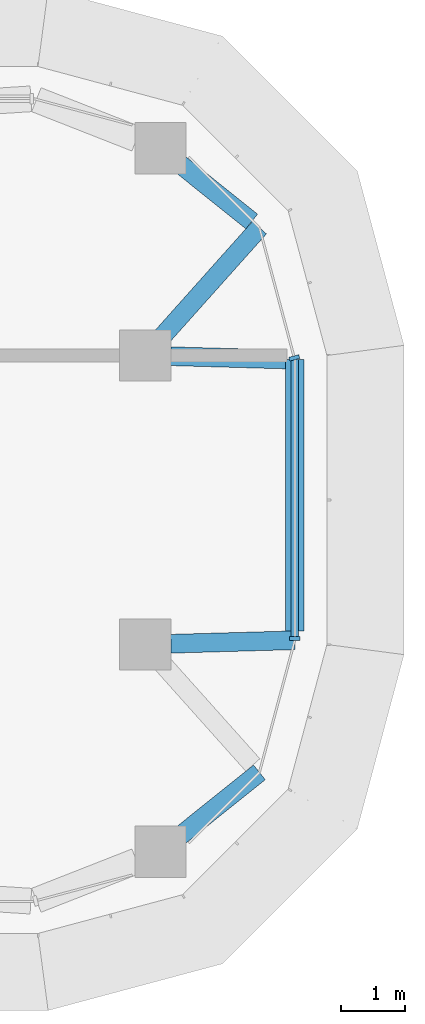
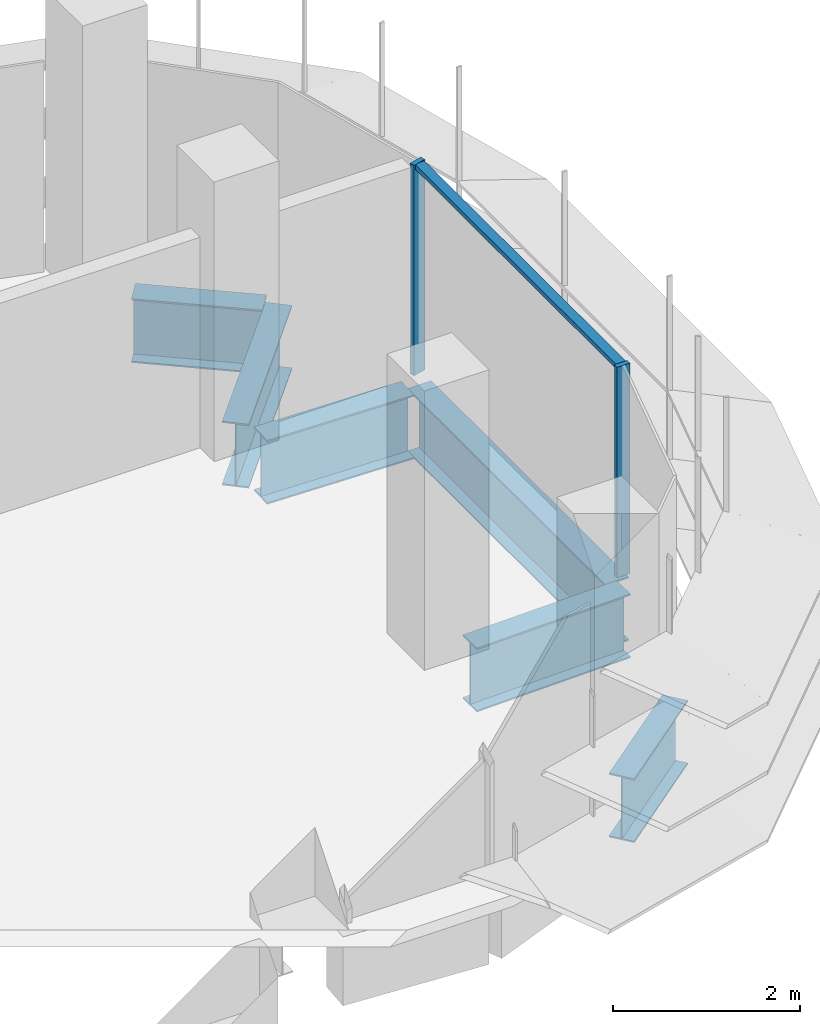
# One storey, part 10 of 20: 6 beams, 3 members, 2 elements without a shape of their own.
"""IFC4 building model written with IfcOpenShell, lengths in metres."""

import ifcopenshell
import ifcopenshell.guid

model = None  # the IFC model being written
_history = None  # IfcOwnerHistory: only IFC2X3 demands one
_inside = {}  # id of a spatial element -> (the spatial element, [elements in it])
_under = {}  # id of a project, library or spatial element -> (it, [spatial elements below it])
_declared = {}  # id of a project -> (the project, [libraries it declares])
_typed = {}  # id of a type object -> (the type object, [elements of that type])
_made_of = {}  # id of a material, layer set ... -> (it, [elements and type objects made of it])


def new_model(schema):
    """Start an empty IFC model of exactly this schema.

    Asked for "IFC4X3", IfcOpenShell would pick the latest addendum, in which some entities
    have other attributes; the version numbers below select the first issue.
    IFC2X3 requires an IfcOwnerHistory on every rooted entity: one is made here for all.
    """
    global model, _history
    if schema == "IFC4X3":
        model = ifcopenshell.file(schema_version=(4, 3, 0, 0))
    else:
        model = ifcopenshell.file(schema=schema)
    _inside.clear()
    _under.clear()
    _declared.clear()
    _typed.clear()
    _made_of.clear()
    _history = None
    if model.schema == "IFC2X3":
        org = make("IfcOrganization", Name="unknown")
        user = make(
            "IfcPersonAndOrganization",
            ThePerson=make("IfcPerson", FamilyName="unknown"),
            TheOrganization=org,
        )
        app = make(
            "IfcApplication",
            ApplicationDeveloper=org,
            Version="unknown",
            ApplicationFullName="unknown",
            ApplicationIdentifier="unknown",
        )
        _history = make(
            "IfcOwnerHistory",
            OwningUser=user,
            OwningApplication=app,
            ChangeAction="ADDED",
            CreationDate=0,
        )
    return model


def make(cls, **values):
    """One entity of the class cls with the attributes given. An attribute that is None is left unset."""
    return model.create_entity(
        cls, **{name: value for name, value in values.items() if value is not None}
    )


def rooted(cls, **values):
    """An entity with a GlobalId (a new one), such as an element, a storey or a relation."""
    return make(cls, GlobalId=ifcopenshell.guid.new(), OwnerHistory=_history, **values)


def si_unit(unit_type, name, prefix=None):
    """IfcSIUnit, for example si_unit("LENGTHUNIT", "METRE", prefix="MILLI")."""
    return make("IfcSIUnit", UnitType=unit_type, Prefix=prefix, Name=name)


def assignment(units):
    """IfcUnitAssignment: the units of a project."""
    return None if units is None else make("IfcUnitAssignment", Units=units)


def point(xyz):
    """IfcCartesianPoint."""
    return None if xyz is None else make("IfcCartesianPoint", Coordinates=xyz)


def direction(xyz):
    """IfcDirection."""
    return None if xyz is None else make("IfcDirection", DirectionRatios=xyz)


def frame(location, z_axis=None, x_axis=None):
    """IfcAxis2Placement3D, a coordinate frame: its origin and axes. An axis left out is left unset."""
    return make(
        "IfcAxis2Placement3D",
        Location=point(location),
        Axis=direction(z_axis),
        RefDirection=direction(x_axis),
    )


def frame_2d(location, x_axis=None):
    """IfcAxis2Placement2D, a coordinate frame in the plane: its origin and x axis."""
    return make(
        "IfcAxis2Placement2D", Location=point(location), RefDirection=direction(x_axis)
    )


def origin():
    """The frame at (0, 0, 0) with its axes left unset."""
    return frame((0.0, 0.0, 0.0))


def origin_2d():
    """The frame at (0, 0) in the plane with its x axis left unset."""
    return frame_2d((0.0, 0.0))


def place(relative_to, where):
    """IfcLocalPlacement: puts the frame where relative to a parent placement (None: the world)."""
    return make(
        "IfcLocalPlacement", PlacementRelTo=relative_to, RelativePlacement=where
    )


def context(
    kind, dimensions, precision=None, world=None, true_north=None, identifier=None
):
    """IfcGeometricRepresentationContext, for example the 3D "Model" context."""
    return make(
        "IfcGeometricRepresentationContext",
        ContextIdentifier=identifier,
        ContextType=kind,
        CoordinateSpaceDimension=dimensions,
        Precision=precision,
        WorldCoordinateSystem=world,
        TrueNorth=true_north,
    )


def subcontext(parent, identifier, kind, view, scale=None):
    """IfcGeometricRepresentationSubContext, for example "Body" below "Model"."""
    return make(
        "IfcGeometricRepresentationSubContext",
        ContextIdentifier=identifier,
        ContextType=kind,
        ParentContext=parent,
        TargetScale=scale,
        TargetView=view,
    )


def project(units=None, contexts=None):
    """IfcProject with its units and contexts."""
    return rooted(
        "IfcProject",
        Name="project",
        RepresentationContexts=contexts,
        UnitsInContext=assignment(units),
    )


def spatial(cls, under=None, at=None, **own):
    """A site, building, storey or space (cls), placed at a placement, below another one or the project."""
    s = rooted(cls, ObjectPlacement=at, **own)
    if under is not None:
        _under.setdefault(under.id(), (under, []))[1].append(s)
    return s


def polyline(points):
    """IfcPolyline through the points."""
    return make("IfcPolyline", Points=[point(p) for p in points])


def profile(cls, at=None, kind="AREA", **sizes):
    """A parametric profile (cls). Its sizes go by their IFC names, for example OverallWidth=200.0."""
    return make(cls, ProfileType=kind, Position=at, **sizes)


def i_section(**sizes):
    """IfcIShapeProfileDef."""
    return profile("IfcIShapeProfileDef", **sizes)


def outline(outer, holes=None, kind="AREA"):
    """IfcArbitraryClosedProfileDef: a profile drawn as a closed curve; with holes, ...WithVoids."""
    if holes is None:
        return make("IfcArbitraryClosedProfileDef", ProfileType=kind, OuterCurve=outer)
    return make(
        "IfcArbitraryProfileDefWithVoids",
        ProfileType=kind,
        OuterCurve=outer,
        InnerCurves=holes,
    )


def extrude(swept, where, along, depth):
    """IfcExtrudedAreaSolid: the profile swept, set in the frame where, extruded along a direction by depth."""
    return make(
        "IfcExtrudedAreaSolid",
        SweptArea=swept,
        Position=where,
        ExtrudedDirection=direction(along),
        Depth=depth,
    )


def shape(context_of_items, identifier, shape_type, items):
    """IfcShapeRepresentation: the items that make up one representation, for example the "Body"."""
    return make(
        "IfcShapeRepresentation",
        ContextOfItems=context_of_items,
        RepresentationIdentifier=identifier,
        RepresentationType=shape_type,
        Items=items,
    )


def source(mapping_origin, context_of_items, identifier, shape_type, items):
    """IfcRepresentationMap: a shape defined once, which mapped items show again and again."""
    return make(
        "IfcRepresentationMap",
        MappingOrigin=mapping_origin,
        MappedRepresentation=shape(context_of_items, identifier, shape_type, items),
    )


def transform(
    local_origin,
    x_axis=None,
    y_axis=None,
    z_axis=None,
    scale=None,
    scale2=None,
    scale3=None,
    uniform=True,
):
    """IfcCartesianTransformationOperator3D, or its non-uniform kind. x_axis, y_axis, z_axis: its Axis1, 2, 3."""
    if uniform:
        return make(
            "IfcCartesianTransformationOperator3D",
            Axis1=direction(x_axis),
            Axis2=direction(y_axis),
            LocalOrigin=point(local_origin),
            Scale=scale,
            Axis3=direction(z_axis),
        )
    return make(
        "IfcCartesianTransformationOperator3DnonUniform",
        Axis1=direction(x_axis),
        Axis2=direction(y_axis),
        LocalOrigin=point(local_origin),
        Scale=scale,
        Axis3=direction(z_axis),
        Scale2=scale2,
        Scale3=scale3,
    )


def mapped(mapping_source, mapping_target):
    """IfcMappedItem: shows the shape of a source again, moved by a transform."""
    return make(
        "IfcMappedItem", MappingSource=mapping_source, MappingTarget=mapping_target
    )


def material(Name=None, Category=None):
    """IfcMaterial."""
    return make("IfcMaterial", Name=Name, Category=Category)


def material_profile(
    of_material, cross_section, Name=None, Category=None, Priority=None
):
    """IfcMaterialProfile: a cross section and its material."""
    return make(
        "IfcMaterialProfile",
        Name=Name,
        Material=of_material,
        Profile=cross_section,
        Priority=Priority,
        Category=Category,
    )


def profile_set(profiles, Name=None, composite=None):
    """IfcMaterialProfileSet."""
    return make(
        "IfcMaterialProfileSet",
        Name=Name,
        MaterialProfiles=profiles,
        CompositeProfile=composite,
    )


def made_of(thing, what):
    """Note that an element or type object is made of a material, layer set ...; save() writes the relation."""
    if what is not None:
        _made_of.setdefault(what.id(), (what, []))[1].append(thing)
    return thing


def type_object(cls, material=None, **own):
    """A type object (cls), such as IfcWallType, which elements share."""
    return made_of(rooted(cls, **own), material)


def element(
    cls,
    number,
    at=None,
    inside=None,
    cuts=None,
    type_object=None,
    material=None,
    context=None,
    identifier="Body",
    shape_type=None,
    held_by="IfcProductDefinitionShape",
    body=None,
    shapes=None,
    **own,
):
    """One element of the class cls, such as IfcWall. Its Tag is "e" and its number.

    at: its placement. inside: the storey or other place that contains it. cuts: it is an
    opening in that element (IfcRelVoidsElement). A single representation is given by context,
    identifier, shape_type and body (its items); several are given by shapes. held_by: the class
    of the entity that holds the representations. save() writes the other relations.
    """
    e = rooted(cls, Tag="e%d" % number, ObjectPlacement=at, **own)
    if body is not None:
        shapes = [shape(context, identifier, shape_type, body)]
    if shapes is not None:
        e.Representation = make(held_by, Representations=shapes)
    if inside is not None:
        _inside.setdefault(inside.id(), (inside, []))[1].append(e)
    if cuts is not None:
        rooted(
            "IfcRelVoidsElement", RelatingBuildingElement=cuts, RelatedOpeningElement=e
        )
    if type_object is not None:
        _typed.setdefault(type_object.id(), (type_object, []))[1].append(e)
    return made_of(e, material)


def aggregate(whole, parts):
    """IfcRelAggregates: a whole, such as a stair, and the parts it consists of."""
    return rooted("IfcRelAggregates", RelatingObject=whole, RelatedObjects=parts)


def save(model, path):
    """Write the relations noted so far, then the file.

    IfcRelAggregates (storeys below a building ...), IfcRelContainedInSpatialStructure (elements
    in a storey), IfcRelDefinesByType, IfcRelAssociatesMaterial and IfcRelDeclares: one each for
    every whole, place, type object, material and project.
    """
    for whole, parts in _under.values():
        aggregate(whole, parts)
    for where, things in _inside.values():
        rooted(
            "IfcRelContainedInSpatialStructure",
            RelatedElements=things,
            RelatingStructure=where,
        )
    for kind, things in _typed.values():
        rooted("IfcRelDefinesByType", RelatedObjects=things, RelatingType=kind)
    for what, things in _made_of.values():
        rooted("IfcRelAssociatesMaterial", RelatedObjects=things, RelatingMaterial=what)
    for by, libraries in _declared.values():
        rooted("IfcRelDeclares", RelatingContext=by, RelatedDefinitions=libraries)
    model.write(path)


model = new_model("IFC4")

# Units and contexts
model_context = context("Model", 3, precision=1e-05, world=origin(), true_north=direction((0.0, 1.0)))
body_context = subcontext(model_context, "Body", "Model", "MODEL_VIEW")
ifc_project = project(units=[si_unit("LENGTHUNIT", "METRE"), si_unit("AREAUNIT", "SQUARE_METRE"), si_unit("VOLUMEUNIT", "CUBIC_METRE"), si_unit("PLANEANGLEUNIT", "RADIAN"), si_unit("MASSUNIT", "GRAM", prefix="KILO")], contexts=[model_context])

# Site, building, storey
site_placement = place(None, origin())
site = spatial("IfcSite", under=ifc_project, at=site_placement, CompositionType="ELEMENT")
building_placement = place(site_placement, origin())
building = spatial("IfcBuilding", under=site, at=building_placement, Name="Zarbagh Exchange Tower", CompositionType="ELEMENT")
storey_placement = place(building_placement, frame((0.0, 0.0, 156.199951171875)))
storey = spatial("IfcBuildingStorey", under=building, at=storey_placement, Name="L37", CompositionType="ELEMENT", Elevation=156.199951171875)

# Beams
ifc_material_1 = material(Name="Steel ASTM A992 Gr 50", Category="steel")
ifc_material_profile = material_profile(ifc_material_1, i_section(OverallWidth=0.2919921875, OverallDepth=0.835693359375, WebThickness=0.013916015625, FlangeThickness=0.018798828125, at=origin_2d()), Name="W33X118")
ifc_profile_set = profile_set([ifc_material_profile], Name="Steel ASTM A992 Gr 50")
beam_type = type_object("IfcBeamType", Name="Floor girder W33X118", PredefinedType="BEAM", material=ifc_profile_set)
beam_1_placement = place(storey_placement, frame((29.22021484375, 5.22509765625, -0.56787109375), z_axis=(0.780533236132, -0.625114283387, 0.0), x_axis=(0.625114283387, 0.780533236132, 0.0)))
element("IfcBeam", 1, at=beam_1_placement, inside=storey, type_object=beam_type, Name="Steel girder", PredefinedType="BEAM", context=body_context, shape_type="SweptSolid", body=[
    extrude(i_section(OverallWidth=0.2919921875, OverallDepth=0.835693359375, WebThickness=0.013916015625, FlangeThickness=0.018798828125, at=origin_2d()), origin(), (0.0, 0.0, 1.0), 1.420166015625),
])
beam_2_placement = place(storey_placement, frame((30.44873046875, 4.2412109375, -0.56787109375), z_axis=(-0.666191013206, -0.745781156857, 0.0), x_axis=(0.745781156857, -0.666191013206, 0.0)))
element("IfcBeam", 2, at=beam_2_placement, inside=storey, type_object=beam_type, Name="Steel girder", PredefinedType="BEAM", context=body_context, shape_type="SweptSolid", body=[
    extrude(i_section(OverallWidth=0.2919921875, OverallDepth=0.835693359375, WebThickness=0.013916015625, FlangeThickness=0.018798828125, at=origin_2d()), origin(), (0.0, 0.0, 1.0), 2.27001953125),
])
beam_3_placement = place(storey_placement, frame((29.06982421875, 2.23876953125, -0.56787109375), z_axis=(0.999600942558, -0.028248108547, 0.0), x_axis=(0.028248108547, 0.999600942558, 0.0)))
element("IfcBeam", 3, at=beam_3_placement, inside=storey, type_object=beam_type, Name="Steel girder", PredefinedType="BEAM", context=body_context, shape_type="SweptSolid", body=[
    extrude(i_section(OverallWidth=0.2919921875, OverallDepth=0.835693359375, WebThickness=0.013916015625, FlangeThickness=0.018798828125, at=origin_2d()), origin(), (0.0, 0.0, 1.0), 1.7890625),
])
beam_4_placement = place(storey_placement, frame((31.0, 2.18408203125, -0.56787109375), z_axis=(0.0, -1.0, 0.0), x_axis=(1.0, 0.0, 0.0)))
element("IfcBeam", 4, at=beam_4_placement, inside=storey, type_object=beam_type, Name="Steel girder", PredefinedType="BEAM", context=body_context, shape_type="SweptSolid", body=[
    extrude(i_section(OverallWidth=0.2919921875, OverallDepth=0.835693359375, WebThickness=0.013916015625, FlangeThickness=0.018798828125, at=origin_2d()), origin(), (0.0, 0.0, 1.0), 4.226318359375),
])
beam_5_placement = place(storey_placement, frame((31.0, -2.18408203125, -0.56787109375), z_axis=(-0.999598864551, -0.028321546377, 0.0), x_axis=(0.028321546377, -0.999598864551, 0.0)))
element("IfcBeam", 5, at=beam_5_placement, inside=storey, type_object=beam_type, Name="Steel girder", PredefinedType="BEAM", context=body_context, shape_type="SweptSolid", body=[
    extrude(i_section(OverallWidth=0.2919921875, OverallDepth=0.835693359375, WebThickness=0.013916015625, FlangeThickness=0.018798828125, at=origin_2d()), origin(), (0.0, 0.0, 1.0), 1.930908203125),
])
beam_6_placement = place(storey_placement, frame((30.44873046875, -4.2412109375, -0.56787109375), z_axis=(-0.780535770033, -0.625111119482, 0.0), x_axis=(0.625111119482, -0.780535770033, 0.0)))
element("IfcBeam", 6, at=beam_6_placement, inside=storey, type_object=beam_type, Name="Steel girder", PredefinedType="BEAM", context=body_context, shape_type="SweptSolid", body=[
    extrude(i_section(OverallWidth=0.2919921875, OverallDepth=0.835693359375, WebThickness=0.013916015625, FlangeThickness=0.018798828125, at=origin_2d()), origin(), (0.0, 0.0, 1.0), 1.573974609375),
])

# Curtain wall, member
ifc_material_2 = material(Name="Anodised aluminium frame and glazing", Category="aluminium")
curtain_wall_type = type_object("IfcCurtainWallType", Name="CWB Ribbon glazing, upper zones", PredefinedType="NOTDEFINED", material=ifc_material_2)
curtain_wall_1_placement = place(storey_placement, origin())
curtain_wall_1 = element("IfcCurtainWall", 7, at=curtain_wall_1_placement, inside=storey, type_object=curtain_wall_type, Name="CWB12 curtain wall", PredefinedType="NOTDEFINED")
ifc_material_3 = material(Name="Anodised aluminium frame", Category="aluminium")
member_type_1 = type_object("IfcMemberType", Name="MUB Mullion, anodised aluminium frame", PredefinedType="MULLION", material=ifc_material_3)
shared_shape_1 = source(origin(), body_context, "Body", "SweptSolid", [
    extrude(outline(polyline([(0.0, -0.080078125), (0.06005859375, -0.080078125), (0.06005859375, 0.080078125), (0.0, 0.080078125), (0.0, -0.080078125)])), origin(), (0.0, 0.0, 1.0), 2.75),
])
placement = place(storey_placement, origin())
member_1 = element("IfcMember", 8, at=placement, type_object=member_type_1, Name="CWB12 mullion 1.1", PredefinedType="MULLION", context=body_context, shape_type="MappedRepresentation", body=[
    mapped(shared_shape_1, transform((31.0, -2.18408203125, 0.0), x_axis=(0.0, 1.0, 0.0), y_axis=(-1.0, 0.0, 0.0), z_axis=(0.0, 0.0, 1.0))),
])

curtain_wall_2_placement = place(storey_placement, origin())
curtain_wall_2 = element("IfcCurtainWall", 9, at=curtain_wall_2_placement, inside=storey, type_object=curtain_wall_type, Name="CWB13 curtain wall", PredefinedType="NOTDEFINED")
member_2 = element("IfcMember", 10, at=placement, type_object=member_type_1, Name="CWB13 mullion 1.1", PredefinedType="MULLION", context=body_context, shape_type="MappedRepresentation", body=[
    mapped(shared_shape_1, transform((31.0, 2.18408203125, 0.0), x_axis=(-0.258824779902, 0.965924289636, 0.0), y_axis=(-0.965924289636, -0.258824779902, 0.0), z_axis=(0.0, 0.0, 1.0))),
])
aggregate(curtain_wall_2, [member_2])

# Member
member_type_2 = type_object("IfcMemberType", Name="TRB Transom, anodised aluminium frame", PredefinedType="USERDEFINED", material=ifc_material_3)
shared_shape_2 = source(origin(), body_context, "Body", "SweptSolid", [
    extrude(outline(polyline([(-0.06005859375, -0.06005859375), (0.0, -0.06005859375), (0.0, 0.06005859375), (-0.06005859375, 0.06005859375), (-0.06005859375, -0.06005859375)])), origin(), (0.0, 0.0, 1.0), 4.308349609375),
])
member_3 = element("IfcMember", 11, at=placement, type_object=member_type_2, Name="CWB12 transom 1.1", ObjectType="TRANSOM", PredefinedType="USERDEFINED", context=body_context, shape_type="MappedRepresentation", body=[
    mapped(shared_shape_2, transform((31.0, -2.124267578125, 2.75), x_axis=(0.0, 0.0, 1.0), y_axis=(1.0, 0.0, 0.0), z_axis=(0.0, 1.0, 0.0))),
])

aggregate(curtain_wall_1, [member_1, member_3])

save(model, "model.ifc")
